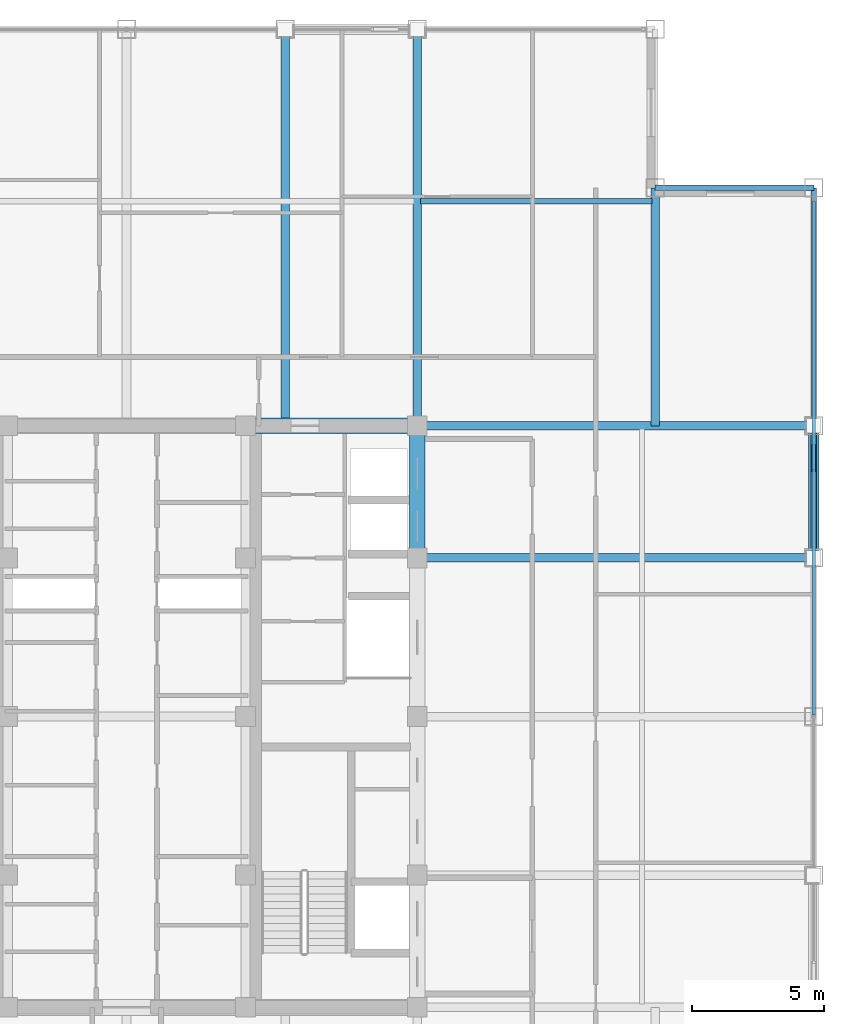
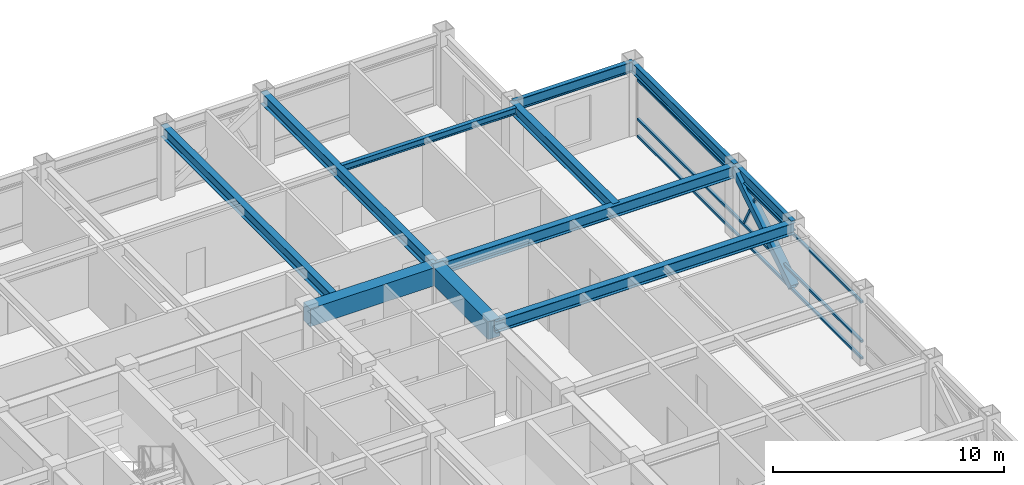
# One storey, part 19 of 29: 11 beams, 5 members, 1 element without a shape of its own.
"""IFC4 building model written with IfcOpenShell, lengths in metres."""

from ifc_helpers import new_model, si_unit, direction, frame, origin, origin_2d, place, context, subcontext, project, spatial, rectangle, hollow_rectangle, i_section, extrude, source, transform, mapped, material, material_profile, profile_set, type_object, element, aggregate, save


model = new_model("IFC4")

# Units and contexts
model_context = context("Model", 3, precision=1e-05, world=origin(), true_north=direction((0.0, 1.0)))
body_context = subcontext(model_context, "Body", "Model", "MODEL_VIEW")
ifc_project = project(units=[si_unit("LENGTHUNIT", "METRE"), si_unit("AREAUNIT", "SQUARE_METRE"), si_unit("VOLUMEUNIT", "CUBIC_METRE"), si_unit("PLANEANGLEUNIT", "RADIAN"), si_unit("MASSUNIT", "GRAM", prefix="KILO")], contexts=[model_context])

# Site, building, storey
site_placement = place(None, origin())
site = spatial("IfcSite", under=ifc_project, at=site_placement, CompositionType="ELEMENT")
building_placement = place(site_placement, origin())
building = spatial("IfcBuilding", under=site, at=building_placement, Name="Khorayat Bourse Tower", CompositionType="ELEMENT")
storey_placement = place(building_placement, frame((0.0, 0.0, 362.300048828125)))
storey = spatial("IfcBuildingStorey", under=building, at=storey_placement, Name="L86", CompositionType="ELEMENT", Elevation=362.300048828125)

# Beams
ifc_material_1 = material(Name="Concrete C60/75", Category="concrete")
ifc_material_profile_1 = material_profile(ifc_material_1, rectangle(XDim=0.60009765625, YDim=0.949951171875, at=origin_2d()), Name="RC 600x950")
ifc_profile_set_1 = profile_set([ifc_material_profile_1], Name="Concrete C60/75")
beam_type_1 = type_object("IfcBeamType", Name="BM-COUP-950", PredefinedType="BEAM", material=ifc_profile_set_1)
shared_shape_1 = source(origin(), body_context, "Body", "SweptSolid", [
    extrude(rectangle(XDim=0.60009765625, YDim=0.949951171875, at=origin_2d()), origin(), (0.0, 0.0, 1.0), 5.0),
])
beam_1_placement = place(storey_placement, frame((11.0, 6.0, 3.264892578125), z_axis=(0.0, 1.0, 0.0), x_axis=(-1.0, 0.0, 0.0)))
element("IfcBeam", 1, at=beam_1_placement, inside=storey, type_object=beam_type_1, Name="L86 BM-COUP-950 BM-L86-CRX-16", PredefinedType="BEAM", context=body_context, shape_type="MappedRepresentation", body=[
    mapped(shared_shape_1, transform((0.0, 0.0, 0.0), scale=1.0)),
])
shared_shape_2 = source(origin(), body_context, "Body", "SweptSolid", [
    extrude(rectangle(XDim=0.60009765625, YDim=0.949951171875, at=origin_2d()), origin(), (0.0, 0.0, 1.0), 6.5),
])
beam_2_placement = place(storey_placement, frame((4.5, 11.0, 3.264892578125), z_axis=(1.0, 0.0, 0.0), x_axis=(0.0, 1.0, 0.0)))
element("IfcBeam", 2, at=beam_2_placement, inside=storey, type_object=beam_type_1, Name="L86 BM-COUP-950 BM-L86-CRY-22", PredefinedType="BEAM", context=body_context, shape_type="MappedRepresentation", body=[
    mapped(shared_shape_2, transform((0.0, 0.0, 0.0), scale=1.0)),
])
ifc_material_2 = material(Name="Steel ASTM A992 Grade 50", Category="steel")
ifc_material_profile_2 = material_profile(ifc_material_2, i_section(OverallWidth=0.214111328125, OverallDepth=0.549072265625, WebThickness=0.0146484375, FlangeThickness=0.023681640625, FilletRadius=0.013916015625, at=origin_2d()), Name="W530X138")
ifc_profile_set_2 = profile_set([ifc_material_profile_2], Name="Steel ASTM A992 Grade 50")
beam_type_2 = type_object("IfcBeamType", Name="BM-SPAN-530", PredefinedType="SPANDREL", material=ifc_profile_set_2)
shared_shape_3 = source(origin(), body_context, "Body", "SweptSolid", [
    extrude(i_section(OverallWidth=0.214111328125, OverallDepth=0.549072265625, WebThickness=0.0146484375, FlangeThickness=0.023681640625, FilletRadius=0.013916015625, at=origin_2d()), origin(), (0.0, 0.0, 1.0), 9.0),
])
beam_3_placement = place(storey_placement, frame((26.0, 11.0, 3.46533203125), z_axis=(0.0, 1.0, 0.0), x_axis=(-1.0, 0.0, 0.0)))
element("IfcBeam", 3, at=beam_3_placement, inside=storey, type_object=beam_type_2, Name="L86 BM-SPAN-530 BM-L86-SPN-037", PredefinedType="SPANDREL", context=body_context, shape_type="MappedRepresentation", body=[
    mapped(shared_shape_3, transform((0.0, 0.0, 0.0), scale=1.0)),
])
shared_shape_4 = source(origin(), body_context, "Body", "SweptSolid", [
    extrude(i_section(OverallWidth=0.214111328125, OverallDepth=0.549072265625, WebThickness=0.0146484375, FlangeThickness=0.023681640625, FilletRadius=0.013916015625, at=origin_2d()), origin(), (0.0, 0.0, 1.0), 5.0),
])
beam_4_placement = place(storey_placement, frame((26.0, 6.0, 3.46533203125), z_axis=(0.0, 1.0, 0.0), x_axis=(-1.0, 0.0, 0.0)))
element("IfcBeam", 4, at=beam_4_placement, inside=storey, type_object=beam_type_2, Name="L86 BM-SPAN-530 BM-L86-SPN-036", PredefinedType="SPANDREL", context=body_context, shape_type="MappedRepresentation", body=[
    mapped(shared_shape_4, transform((0.0, 0.0, 0.0), scale=1.0)),
])
shared_shape_5 = source(origin(), body_context, "Body", "SweptSolid", [
    extrude(i_section(OverallWidth=0.214111328125, OverallDepth=0.549072265625, WebThickness=0.0146484375, FlangeThickness=0.023681640625, FilletRadius=0.013916015625, at=origin_2d()), origin(), (0.0, 0.0, 1.0), 6.0),
])
beam_5_placement = place(storey_placement, frame((20.0, 20.0, 3.46533203125), z_axis=(1.0, 0.0, 0.0), x_axis=(0.0, 1.0, 0.0)))
element("IfcBeam", 5, at=beam_5_placement, inside=storey, type_object=beam_type_2, Name="L86 BM-SPAN-530 BM-L86-SPN-038", PredefinedType="SPANDREL", context=body_context, shape_type="MappedRepresentation", body=[
    mapped(shared_shape_5, transform((0.0, 0.0, 0.0), scale=1.0)),
])
ifc_material_profile_3 = material_profile(ifc_material_2, i_section(OverallWidth=0.324951171875, OverallDepth=0.615966796875, WebThickness=0.013916015625, FlangeThickness=0.021484375, FilletRadius=0.01611328125, at=origin_2d()), Name="W610X174")
ifc_profile_set_3 = profile_set([ifc_material_profile_3], Name="Steel ASTM A992 Grade 50")
beam_type_3 = type_object("IfcBeamType", Name="BM-GIRD-610", PredefinedType="BEAM", material=ifc_profile_set_3)
shared_shape_6 = source(origin(), body_context, "Body", "SweptSolid", [
    extrude(i_section(OverallWidth=0.324951171875, OverallDepth=0.615966796875, WebThickness=0.013916015625, FlangeThickness=0.021484375, FilletRadius=0.01611328125, at=origin_2d()), origin(), (0.0, 0.0, 1.0), 15.0),
])
for number, where, z_axis, x_axis, name in (
    (6, (6.0, 11.0, 3.431884765625), (0.0, 1.0, 0.0), (-1.0, 0.0, 0.0), "L86 BM-GIRD-610 BM-L86-RADY-062"),
    (7, (11.0, 11.0, 3.431884765625), (0.0, 1.0, 0.0), (-1.0, 0.0, 0.0), "L86 BM-GIRD-610 BM-L86-RADY-064"),
    (8, (11.0, 6.0, 3.431884765625), (1.0, 0.0, 0.0), (0.0, 1.0, 0.0), "L86 BM-GIRD-610 BM-L86-RADX-072"),
    (9, (11.0, 11.0, 3.431884765625), (1.0, 0.0, 0.0), (0.0, 1.0, 0.0), "L86 BM-GIRD-610 BM-L86-RADX-074"),
):
    element("IfcBeam", number, at=place(storey_placement, frame(where, z_axis=z_axis, x_axis=x_axis)), inside=storey, type_object=beam_type_3, Name=name, PredefinedType="BEAM", context=body_context, shape_type="MappedRepresentation", body=[
        mapped(shared_shape_6, transform((0.0, 0.0, 0.0), scale=1.0)),
    ])
shared_shape_7 = source(origin(), body_context, "Body", "SweptSolid", [
    extrude(i_section(OverallWidth=0.324951171875, OverallDepth=0.615966796875, WebThickness=0.013916015625, FlangeThickness=0.021484375, FilletRadius=0.01611328125, at=origin_2d()), origin(), (0.0, 0.0, 1.0), 9.0),
])
beam_6_placement = place(storey_placement, frame((20.0, 11.0, 3.431884765625), z_axis=(0.0, 1.0, 0.0), x_axis=(-1.0, 0.0, 0.0)))
element("IfcBeam", 10, at=beam_6_placement, inside=storey, type_object=beam_type_3, Name="L86 BM-GIRD-610 BM-L86-CNRY-079", PredefinedType="BEAM", context=body_context, shape_type="MappedRepresentation", body=[
    mapped(shared_shape_7, transform((0.0, 0.0, 0.0), scale=1.0)),
])
ifc_material_profile_4 = material_profile(ifc_material_2, i_section(OverallWidth=0.202880859375, OverallDepth=0.346923828125, WebThickness=0.0078125, FlangeThickness=0.013427734375, FilletRadius=0.010009765625, at=origin_2d()), Name="W360X64")
ifc_profile_set_4 = profile_set([ifc_material_profile_4], Name="Steel ASTM A992 Grade 50")
beam_type_4 = type_object("IfcBeamType", Name="BM-JOIST-360", PredefinedType="JOIST", material=ifc_profile_set_4)
shared_shape_8 = source(origin(), body_context, "Body", "SweptSolid", [
    extrude(i_section(OverallWidth=0.202880859375, OverallDepth=0.346923828125, WebThickness=0.0078125, FlangeThickness=0.013427734375, FilletRadius=0.010009765625, at=origin_2d()), origin(), (0.0, 0.0, 1.0), 8.740234375),
])
beam_7_placement = place(storey_placement, frame((11.1298828125, 19.5, 3.56640625), z_axis=(1.0, 0.0, 0.0), x_axis=(0.0, 1.0, 0.0)))
element("IfcBeam", 11, at=beam_7_placement, inside=storey, type_object=beam_type_4, Name="L86 BM-JOIST-360 BM-L86-JSTX-085", PredefinedType="JOIST", context=body_context, shape_type="MappedRepresentation", body=[
    mapped(shared_shape_8, transform((0.0, 0.0, 0.0), scale=1.0)),
])

# Member
ifc_material_3 = material(Name="Steel EN 10025-4 S460M", Category="steel")
ifc_material_profile_5 = material_profile(ifc_material_3, hollow_rectangle(XDim=0.39990234375, YDim=0.39990234375, WallThickness=0.02197265625, at=origin_2d()), Name="HSS 400x400x22")
ifc_profile_set_5 = profile_set([ifc_material_profile_5], Name="Steel EN 10025-4 S460M")
member_type_1 = type_object("IfcMemberType", Name="MBR-TUBE-400", PredefinedType="BRACE", material=ifc_profile_set_5)
shared_shape_9 = source(origin(), body_context, "Body", "SweptSolid", [
    extrude(hollow_rectangle(XDim=0.39990234375, YDim=0.39990234375, WallThickness=0.02197265625, at=origin_2d()), origin(), (0.0, 0.0, 1.0), 5.9580078125),
])
member_1_placement = place(storey_placement, frame((26.0, 6.0, 0.25), z_axis=(0.0, 0.839210474455, 0.543806748364), x_axis=(-1.0, 0.0, 0.0)))
element("IfcMember", 12, at=member_1_placement, inside=storey, type_object=member_type_1, Name="L86 Perimeter Tube Brace 08", PredefinedType="BRACE", context=body_context, shape_type="MappedRepresentation", body=[
    mapped(shared_shape_9, transform((0.0, 0.0, 0.0), scale=1.0)),
])

# Curtain wall, members
ifc_material_4 = material(Name="Aluminium EN AW-6063 T6", Category="aluminium")
curtain_wall_type = type_object("IfcCurtainWallType", Name="CW-SYS-04", PredefinedType="NOTDEFINED", material=ifc_material_4)
curtain_wall_placement = place(storey_placement, origin())
curtain_wall = element("IfcCurtainWall", 13, at=curtain_wall_placement, inside=storey, type_object=curtain_wall_type, Name="L86 Curtain Wall CW-L86-E1", PredefinedType="NOTDEFINED")
ifc_material_profile_6 = material_profile(ifc_material_4, hollow_rectangle(XDim=0.1201171875, YDim=0.1201171875, WallThickness=0.0048828125, at=origin_2d()), Name="ALU 120x120x5")
ifc_profile_set_6 = profile_set([ifc_material_profile_6], Name="Aluminium EN AW-6063 T6")
member_type_2 = type_object("IfcMemberType", Name="CWM-DIAG-120", PredefinedType="MULLION", material=ifc_profile_set_6)
shared_shape_10 = source(origin(), body_context, "Body", "SweptSolid", [
    extrude(hollow_rectangle(XDim=0.1201171875, YDim=0.1201171875, WallThickness=0.0048828125, at=origin_2d()), origin(), (0.0, 0.0, 1.0), 2.0341796875),
])
member_2_placement = place(storey_placement, frame((26.0, 10.24365234375, 1.08984375), z_axis=(0.0, -0.465696964104, 0.884944256789), x_axis=(1.0, 0.0, 0.0)))
member_2 = element("IfcMember", 14, at=member_2_placement, type_object=member_type_2, Name="CW-L86-E1 Faceted Diagonal Mullion 2", PredefinedType="MULLION", context=body_context, shape_type="MappedRepresentation", body=[
    mapped(shared_shape_10, transform((0.0, 0.0, 0.0), scale=1.0)),
])
ifc_material_profile_7 = material_profile(ifc_material_4, hollow_rectangle(XDim=0.1201171875, YDim=0.1201171875, WallThickness=0.0048828125, at=origin_2d()), Name="ALU 120x120x5")
ifc_profile_set_7 = profile_set([ifc_material_profile_7], Name="Aluminium EN AW-6063 T6")
member_type_3 = type_object("IfcMemberType", Name="CWT-HORZ-120", PredefinedType="USERDEFINED", material=ifc_profile_set_7)
shared_shape_11 = source(origin(), body_context, "Body", "SweptSolid", [
    extrude(hollow_rectangle(XDim=0.1201171875, YDim=0.1201171875, WallThickness=0.0048828125, at=origin_2d()), origin(), (0.0, 0.0, 1.0), 19.419921875),
])
member_3_placement = place(storey_placement, frame((26.0, 0.06005859375, 0.06005859375), z_axis=(0.0, 1.0, 0.0), x_axis=(-1.0, 0.0, 0.0)))
member_3 = element("IfcMember", 15, at=member_3_placement, type_object=member_type_3, Name="CW-L86-E1 Horizontal Transom 2-1", ObjectType="TRANSOM", PredefinedType="USERDEFINED", context=body_context, shape_type="MappedRepresentation", body=[
    mapped(shared_shape_11, transform((0.0, 0.0, 0.0), scale=1.0)),
])
member_4_placement = place(storey_placement, frame((26.0, 0.06005859375, 0.949951171875), z_axis=(0.0, 1.0, 0.0), x_axis=(-1.0, 0.0, 0.0)))
member_4 = element("IfcMember", 16, at=member_4_placement, type_object=member_type_3, Name="CW-L86-E1 Horizontal Transom 2-2", ObjectType="TRANSOM", PredefinedType="USERDEFINED", context=body_context, shape_type="MappedRepresentation", body=[
    mapped(shared_shape_11, transform((0.0, 0.0, 0.0), scale=1.0)),
])
member_5_placement = place(storey_placement, frame((26.0, 0.06005859375, 3.030029296875), z_axis=(0.0, 1.0, 0.0), x_axis=(-1.0, 0.0, 0.0)))
member_5 = element("IfcMember", 17, at=member_5_placement, type_object=member_type_3, Name="CW-L86-E1 Horizontal Transom 2-3", ObjectType="TRANSOM", PredefinedType="USERDEFINED", context=body_context, shape_type="MappedRepresentation", body=[
    mapped(shared_shape_11, transform((0.0, 0.0, 0.0), scale=1.0)),
])
aggregate(curtain_wall, [member_3, member_4, member_5, member_2])

save(model, "model.ifc")
